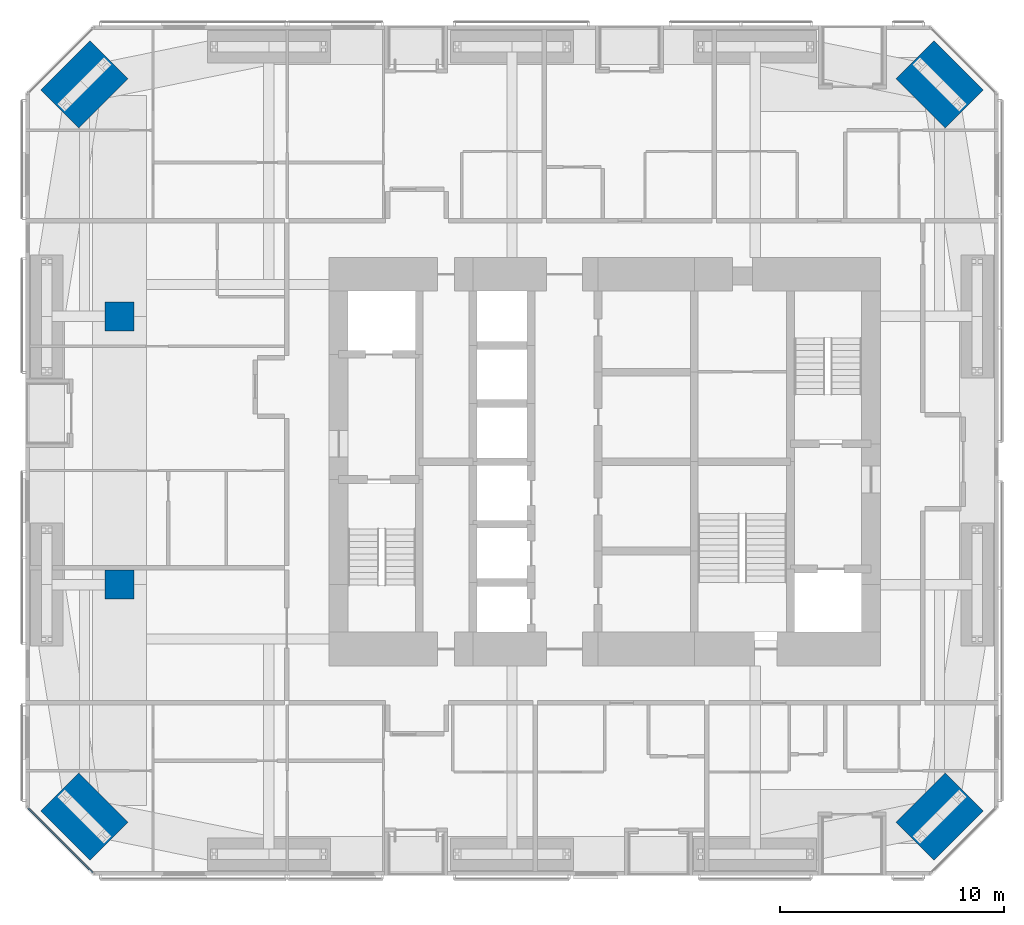
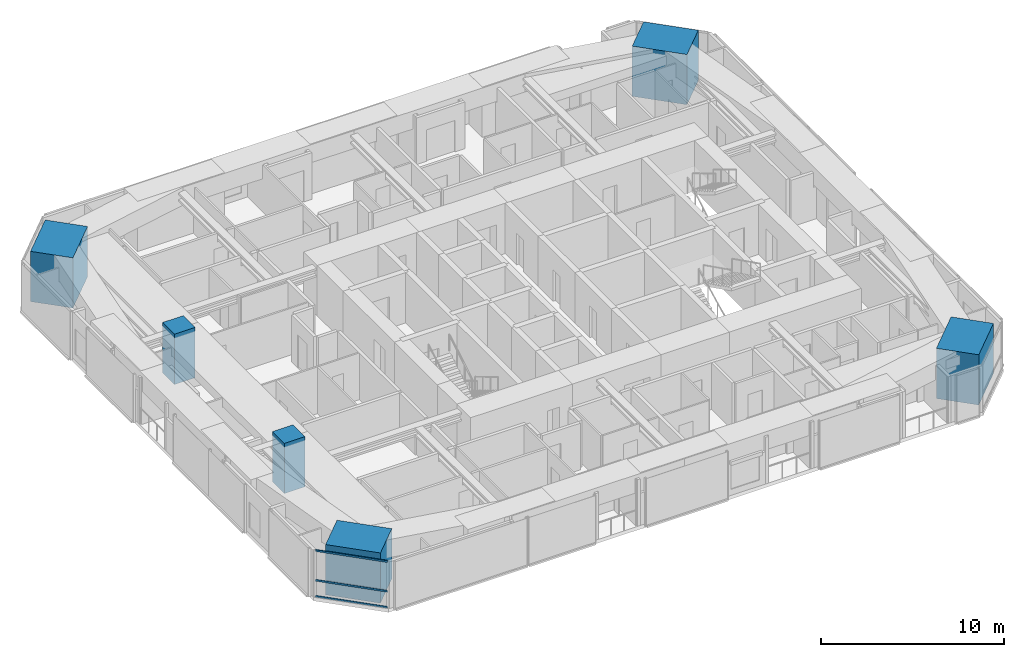
# One storey, part 1 of 25: 6 columns, 3 members, 1 element without a shape of its own.
"""IFC4 building model written with IfcOpenShell, lengths in metres."""

import ifcopenshell
import ifcopenshell.guid

model = None  # the IFC model being written
_history = None  # IfcOwnerHistory: only IFC2X3 demands one
_inside = {}  # id of a spatial element -> (the spatial element, [elements in it])
_under = {}  # id of a project, library or spatial element -> (it, [spatial elements below it])
_declared = {}  # id of a project -> (the project, [libraries it declares])
_typed = {}  # id of a type object -> (the type object, [elements of that type])
_made_of = {}  # id of a material, layer set ... -> (it, [elements and type objects made of it])


def new_model(schema):
    """Start an empty IFC model of exactly this schema.

    Asked for "IFC4X3", IfcOpenShell would pick the latest addendum, in which some entities
    have other attributes; the version numbers below select the first issue.
    IFC2X3 requires an IfcOwnerHistory on every rooted entity: one is made here for all.
    """
    global model, _history
    if schema == "IFC4X3":
        model = ifcopenshell.file(schema_version=(4, 3, 0, 0))
    else:
        model = ifcopenshell.file(schema=schema)
    _inside.clear()
    _under.clear()
    _declared.clear()
    _typed.clear()
    _made_of.clear()
    _history = None
    if model.schema == "IFC2X3":
        org = make("IfcOrganization", Name="unknown")
        user = make(
            "IfcPersonAndOrganization",
            ThePerson=make("IfcPerson", FamilyName="unknown"),
            TheOrganization=org,
        )
        app = make(
            "IfcApplication",
            ApplicationDeveloper=org,
            Version="unknown",
            ApplicationFullName="unknown",
            ApplicationIdentifier="unknown",
        )
        _history = make(
            "IfcOwnerHistory",
            OwningUser=user,
            OwningApplication=app,
            ChangeAction="ADDED",
            CreationDate=0,
        )
    return model


def make(cls, **values):
    """One entity of the class cls with the attributes given. An attribute that is None is left unset."""
    return model.create_entity(
        cls, **{name: value for name, value in values.items() if value is not None}
    )


def rooted(cls, **values):
    """An entity with a GlobalId (a new one), such as an element, a storey or a relation."""
    return make(cls, GlobalId=ifcopenshell.guid.new(), OwnerHistory=_history, **values)


def si_unit(unit_type, name, prefix=None):
    """IfcSIUnit, for example si_unit("LENGTHUNIT", "METRE", prefix="MILLI")."""
    return make("IfcSIUnit", UnitType=unit_type, Prefix=prefix, Name=name)


def assignment(units):
    """IfcUnitAssignment: the units of a project."""
    return None if units is None else make("IfcUnitAssignment", Units=units)


def point(xyz):
    """IfcCartesianPoint."""
    return None if xyz is None else make("IfcCartesianPoint", Coordinates=xyz)


def direction(xyz):
    """IfcDirection."""
    return None if xyz is None else make("IfcDirection", DirectionRatios=xyz)


def frame(location, z_axis=None, x_axis=None):
    """IfcAxis2Placement3D, a coordinate frame: its origin and axes. An axis left out is left unset."""
    return make(
        "IfcAxis2Placement3D",
        Location=point(location),
        Axis=direction(z_axis),
        RefDirection=direction(x_axis),
    )


def frame_2d(location, x_axis=None):
    """IfcAxis2Placement2D, a coordinate frame in the plane: its origin and x axis."""
    return make(
        "IfcAxis2Placement2D", Location=point(location), RefDirection=direction(x_axis)
    )


def origin():
    """The frame at (0, 0, 0) with its axes left unset."""
    return frame((0.0, 0.0, 0.0))


def origin_2d():
    """The frame at (0, 0) in the plane with its x axis left unset."""
    return frame_2d((0.0, 0.0))


def place(relative_to, where):
    """IfcLocalPlacement: puts the frame where relative to a parent placement (None: the world)."""
    return make(
        "IfcLocalPlacement", PlacementRelTo=relative_to, RelativePlacement=where
    )


def context(
    kind, dimensions, precision=None, world=None, true_north=None, identifier=None
):
    """IfcGeometricRepresentationContext, for example the 3D "Model" context."""
    return make(
        "IfcGeometricRepresentationContext",
        ContextIdentifier=identifier,
        ContextType=kind,
        CoordinateSpaceDimension=dimensions,
        Precision=precision,
        WorldCoordinateSystem=world,
        TrueNorth=true_north,
    )


def subcontext(parent, identifier, kind, view, scale=None):
    """IfcGeometricRepresentationSubContext, for example "Body" below "Model"."""
    return make(
        "IfcGeometricRepresentationSubContext",
        ContextIdentifier=identifier,
        ContextType=kind,
        ParentContext=parent,
        TargetScale=scale,
        TargetView=view,
    )


def project(units=None, contexts=None):
    """IfcProject with its units and contexts."""
    return rooted(
        "IfcProject",
        Name="project",
        RepresentationContexts=contexts,
        UnitsInContext=assignment(units),
    )


def spatial(cls, under=None, at=None, **own):
    """A site, building, storey or space (cls), placed at a placement, below another one or the project."""
    s = rooted(cls, ObjectPlacement=at, **own)
    if under is not None:
        _under.setdefault(under.id(), (under, []))[1].append(s)
    return s


def profile(cls, at=None, kind="AREA", **sizes):
    """A parametric profile (cls). Its sizes go by their IFC names, for example OverallWidth=200.0."""
    return make(cls, ProfileType=kind, Position=at, **sizes)


def rectangle(**sizes):
    """IfcRectangleProfileDef."""
    return profile("IfcRectangleProfileDef", **sizes)


def extrude(swept, where, along, depth):
    """IfcExtrudedAreaSolid: the profile swept, set in the frame where, extruded along a direction by depth."""
    return make(
        "IfcExtrudedAreaSolid",
        SweptArea=swept,
        Position=where,
        ExtrudedDirection=direction(along),
        Depth=depth,
    )


def shape(context_of_items, identifier, shape_type, items):
    """IfcShapeRepresentation: the items that make up one representation, for example the "Body"."""
    return make(
        "IfcShapeRepresentation",
        ContextOfItems=context_of_items,
        RepresentationIdentifier=identifier,
        RepresentationType=shape_type,
        Items=items,
    )


def material(Name=None, Category=None):
    """IfcMaterial."""
    return make("IfcMaterial", Name=Name, Category=Category)


def material_profile(
    of_material, cross_section, Name=None, Category=None, Priority=None
):
    """IfcMaterialProfile: a cross section and its material."""
    return make(
        "IfcMaterialProfile",
        Name=Name,
        Material=of_material,
        Profile=cross_section,
        Priority=Priority,
        Category=Category,
    )


def profile_set(profiles, Name=None, composite=None):
    """IfcMaterialProfileSet."""
    return make(
        "IfcMaterialProfileSet",
        Name=Name,
        MaterialProfiles=profiles,
        CompositeProfile=composite,
    )


def made_of(thing, what):
    """Note that an element or type object is made of a material, layer set ...; save() writes the relation."""
    if what is not None:
        _made_of.setdefault(what.id(), (what, []))[1].append(thing)
    return thing


def type_object(cls, material=None, **own):
    """A type object (cls), such as IfcWallType, which elements share."""
    return made_of(rooted(cls, **own), material)


def element(
    cls,
    number,
    at=None,
    inside=None,
    cuts=None,
    type_object=None,
    material=None,
    context=None,
    identifier="Body",
    shape_type=None,
    held_by="IfcProductDefinitionShape",
    body=None,
    shapes=None,
    **own,
):
    """One element of the class cls, such as IfcWall. Its Tag is "e" and its number.

    at: its placement. inside: the storey or other place that contains it. cuts: it is an
    opening in that element (IfcRelVoidsElement). A single representation is given by context,
    identifier, shape_type and body (its items); several are given by shapes. held_by: the class
    of the entity that holds the representations. save() writes the other relations.
    """
    e = rooted(cls, Tag="e%d" % number, ObjectPlacement=at, **own)
    if body is not None:
        shapes = [shape(context, identifier, shape_type, body)]
    if shapes is not None:
        e.Representation = make(held_by, Representations=shapes)
    if inside is not None:
        _inside.setdefault(inside.id(), (inside, []))[1].append(e)
    if cuts is not None:
        rooted(
            "IfcRelVoidsElement", RelatingBuildingElement=cuts, RelatedOpeningElement=e
        )
    if type_object is not None:
        _typed.setdefault(type_object.id(), (type_object, []))[1].append(e)
    return made_of(e, material)


def aggregate(whole, parts):
    """IfcRelAggregates: a whole, such as a stair, and the parts it consists of."""
    return rooted("IfcRelAggregates", RelatingObject=whole, RelatedObjects=parts)


def save(model, path):
    """Write the relations noted so far, then the file.

    IfcRelAggregates (storeys below a building ...), IfcRelContainedInSpatialStructure (elements
    in a storey), IfcRelDefinesByType, IfcRelAssociatesMaterial and IfcRelDeclares: one each for
    every whole, place, type object, material and project.
    """
    for whole, parts in _under.values():
        aggregate(whole, parts)
    for where, things in _inside.values():
        rooted(
            "IfcRelContainedInSpatialStructure",
            RelatedElements=things,
            RelatingStructure=where,
        )
    for kind, things in _typed.values():
        rooted("IfcRelDefinesByType", RelatedObjects=things, RelatingType=kind)
    for what, things in _made_of.values():
        rooted("IfcRelAssociatesMaterial", RelatedObjects=things, RelatingMaterial=what)
    for by, libraries in _declared.values():
        rooted("IfcRelDeclares", RelatingContext=by, RelatedDefinitions=libraries)
    model.write(path)


model = new_model("IFC4")

# Units and contexts
model_context = context("Model", 3, precision=1e-05, world=origin(), true_north=direction((0.0, 1.0)))
body_context = subcontext(model_context, "Body", "Model", "MODEL_VIEW")
ifc_project = project(units=[si_unit("LENGTHUNIT", "METRE"), si_unit("AREAUNIT", "SQUARE_METRE"), si_unit("VOLUMEUNIT", "CUBIC_METRE"), si_unit("PLANEANGLEUNIT", "RADIAN"), si_unit("MASSUNIT", "GRAM", prefix="KILO")], contexts=[model_context])

# Site, building, storey
site_placement = place(None, origin())
site = spatial("IfcSite", under=ifc_project, at=site_placement, CompositionType="ELEMENT")
building_placement = place(site_placement, origin())
building = spatial("IfcBuilding", under=site, at=building_placement, Name="Jalousie Tower", CompositionType="ELEMENT")
storey_placement = place(building_placement, frame((0.0, 0.0, 98.14990234375)))
storey = spatial("IfcBuildingStorey", under=building, at=storey_placement, Name="L26", CompositionType="ELEMENT", Elevation=98.14990234375)

# Columns
ifc_material_1 = material(Name="Concrete f'c 120 MPa", Category="concrete")
ifc_material_profile_1 = material_profile(ifc_material_1, rectangle(XDim=1.300048828125, YDim=1.300048828125, at=origin_2d()), Name="RC 1300x1300")
ifc_profile_set_1 = profile_set([ifc_material_profile_1], Name="Concrete f'c 120 MPa")
column_type_1 = type_object("IfcColumnType", Name="RC COLUMN 1300x1300", PredefinedType="COLUMN", material=ifc_profile_set_1)
for number, where, z_axis, x_axis, name in (
    (1, (10.199951171875, 13.0, 0.0), (0.0, 0.0, 1.0), (1.0, 0.0, 0.0), "Interior column IB1 L26"),
    (2, (10.199951171875, 25.0, 0.0), (0.0, 0.0, 1.0), (1.0, 0.0, 0.0), "Interior column IB2 L26"),
):
    element("IfcColumn", number, at=place(storey_placement, frame(where, z_axis=z_axis, x_axis=x_axis)), inside=storey, type_object=column_type_1, Name=name, PredefinedType="COLUMN", context=body_context, shape_type="SweptSolid", body=[
        extrude(rectangle(XDim=1.300048828125, YDim=1.300048828125, at=origin_2d()), origin(), (0.0, 0.0, 1.0), 3.35009765625),
    ])
ifc_material_2 = material(Name="Concrete f'c 120 MPa", Category="concrete")
ifc_material_profile_2 = material_profile(ifc_material_2, rectangle(XDim=2.39990234375, YDim=3.10009765625, at=origin_2d()), Name="RC 2400x3100")
ifc_profile_set_2 = profile_set([ifc_material_profile_2], Name="Concrete f'c 120 MPa")
column_type_2 = type_object("IfcColumnType", Name="RC CORNER COLUMN 2400x3100", PredefinedType="COLUMN", material=ifc_profile_set_2)
for number, where, z_axis, x_axis, name in (
    (3, (8.63134765625, 2.63134765625, 0.0), (0.0, 0.0, 1.0), (0.707106781187, 0.707106781187, 0.0), "Corner column 01 L26"),
    (4, (46.86865234375, 2.63134765625, 0.0), (0.0, 0.0, 1.0), (-0.707106781187, 0.707106781187, 0.0), "Corner column 05 L26"),
    (5, (46.86865234375, 35.36865234375, 0.0), (0.0, 0.0, 1.0), (-0.707106781187, -0.707106781187, 0.0), "Corner column 08 L26"),
    (6, (8.63134765625, 35.36865234375, 0.0), (0.0, 0.0, 1.0), (0.707106781187, -0.707106781187, 0.0), "Corner column 12 L26"),
):
    element("IfcColumn", number, at=place(storey_placement, frame(where, z_axis=z_axis, x_axis=x_axis)), inside=storey, type_object=column_type_2, Name=name, PredefinedType="COLUMN", context=body_context, shape_type="SweptSolid", body=[
        extrude(rectangle(XDim=2.39990234375, YDim=3.10009765625, at=origin_2d()), origin(), (0.0, 0.0, 1.0), 3.35009765625),
    ])

# Curtain wall, members
ifc_material_3 = material(Name="Aluminium curtain wall", Category="aluminium")
curtain_wall_type = type_object("IfcCurtainWallType", Name="CORNER WINDOW WALL", PredefinedType="USERDEFINED", material=ifc_material_3)
curtain_wall_placement = place(storey_placement, origin())
curtain_wall = element("IfcCurtainWall", 7, at=curtain_wall_placement, inside=storey, type_object=curtain_wall_type, Name="Corner Window Wall L26 8", ObjectType="CORNER WINDOW WALL", PredefinedType="USERDEFINED")
ifc_material_4 = material(Name="Aluminium transom", Category="aluminium")
ifc_material_profile_3 = material_profile(ifc_material_4, rectangle(XDim=0.06005859375, YDim=0.1201171875, at=origin_2d()), Name="TRANSOM 60x120")
ifc_profile_set_3 = profile_set([ifc_material_profile_3], Name="Aluminium transom")
member_type = type_object("IfcMemberType", Name="CORNER WINDOW WALL TRANSOM", PredefinedType="USERDEFINED", material=ifc_profile_set_3)
member_1_placement = place(storey_placement, frame((6.1298828125, 3.0087890625, 0.030029296875), z_axis=(0.707106781187, -0.707106781187, 0.0), x_axis=(0.707106781187, 0.707106781187, 0.0)))
member_1 = element("IfcMember", 8, at=member_1_placement, type_object=member_type, Name="CW-C transom 1.1", ObjectType="TRANSOM", PredefinedType="USERDEFINED", context=body_context, shape_type="SweptSolid", body=[
    extrude(rectangle(XDim=0.06005859375, YDim=0.1201171875, at=origin_2d()), origin(), (0.0, 0.0, 1.0), 4.0712890625),
])
member_2_placement = place(storey_placement, frame((6.1298828125, 3.0087890625, 1.10009765625), z_axis=(0.707106781187, -0.707106781187, 0.0), x_axis=(0.707106781187, 0.707106781187, 0.0)))
member_2 = element("IfcMember", 9, at=member_2_placement, type_object=member_type, Name="CW-C transom 1.2", ObjectType="TRANSOM", PredefinedType="USERDEFINED", context=body_context, shape_type="SweptSolid", body=[
    extrude(rectangle(XDim=0.06005859375, YDim=0.1201171875, at=origin_2d()), origin(), (0.0, 0.0, 1.0), 4.0712890625),
])
member_3_placement = place(storey_placement, frame((6.1298828125, 3.0087890625, 3.080078125), z_axis=(0.707106781187, -0.707106781187, 0.0), x_axis=(0.707106781187, 0.707106781187, 0.0)))
member_3 = element("IfcMember", 10, at=member_3_placement, type_object=member_type, Name="CW-C transom 1.3", ObjectType="TRANSOM", PredefinedType="USERDEFINED", context=body_context, shape_type="SweptSolid", body=[
    extrude(rectangle(XDim=0.06005859375, YDim=0.1201171875, at=origin_2d()), origin(), (0.0, 0.0, 1.0), 4.0712890625),
])
aggregate(curtain_wall, [member_1, member_2, member_3])

save(model, "model.ifc")
